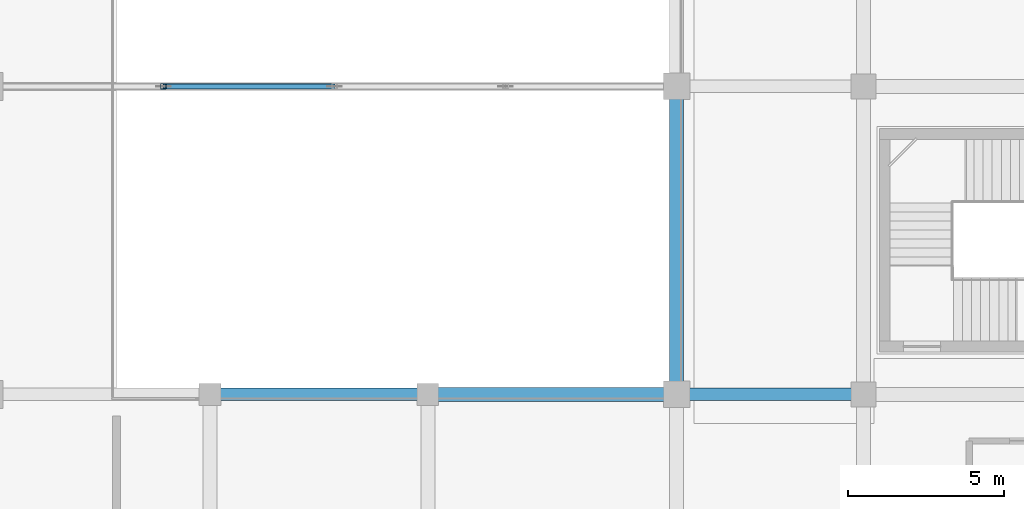
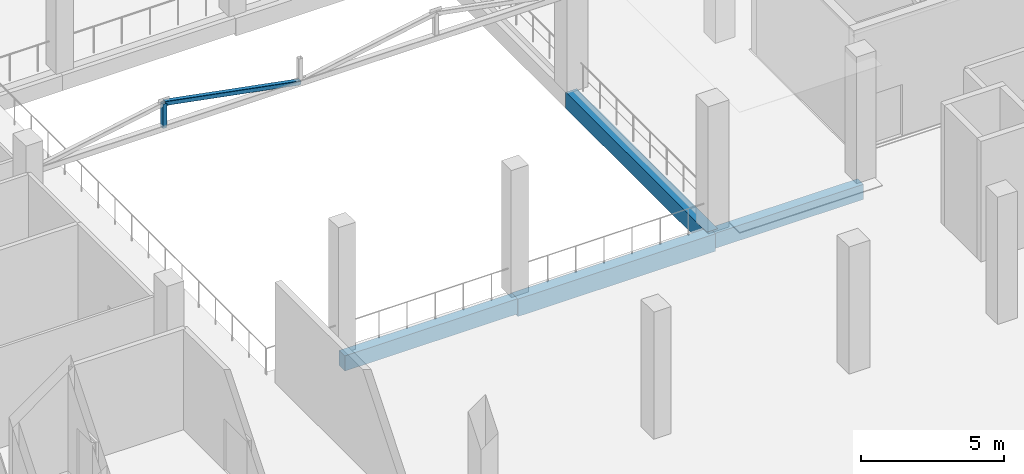
# One storey, part 7 of 74: 4 beams, 2 members.
"""IFC4 building model written with IfcOpenShell, lengths in metres."""

from ifc_helpers import new_model, si_unit, direction, frame, origin, origin_2d, place, context, subcontext, project, spatial, rectangle, hollow_rectangle, extrude, material, material_profile, profile_set, type_object, element, save


model = new_model("IFC4")

# Units and contexts
model_context = context("Model", 3, precision=1e-05, world=origin(), true_north=direction((0.0, 1.0)))
body_context = subcontext(model_context, "Body", "Model", "MODEL_VIEW")
ifc_project = project(units=[si_unit("LENGTHUNIT", "METRE"), si_unit("AREAUNIT", "SQUARE_METRE"), si_unit("VOLUMEUNIT", "CUBIC_METRE"), si_unit("PLANEANGLEUNIT", "RADIAN"), si_unit("MASSUNIT", "GRAM", prefix="KILO")], contexts=[model_context])

# Site, building, storey
site_placement = place(None, origin())
site = spatial("IfcSite", under=ifc_project, at=site_placement, CompositionType="ELEMENT")
building_placement = place(site_placement, origin())
building = spatial("IfcBuilding", under=site, at=building_placement, Name="Sillaruma Civic Art Gallery", CompositionType="ELEMENT")
storey_placement = place(building_placement, frame((0.0, 0.0, 5.43994140625)))
storey = spatial("IfcBuildingStorey", under=building, at=storey_placement, Name="L01", CompositionType="ELEMENT", Elevation=5.43994140625)

# Beams
ifc_material_1 = material(Name="Concrete H35 (35 MPa)", Category="concrete")
ifc_material_profile_1 = material_profile(ifc_material_1, rectangle(XDim=0.39990234375, YDim=0.64990234375, at=origin_2d()), Name="RCB400x650")
ifc_profile_set_1 = profile_set([ifc_material_profile_1], Name="Concrete H35 (35 MPa)")
beam_type_1 = type_object("IfcBeamType", Name="BM-BEAM-RCB400x650", PredefinedType="BEAM", material=ifc_profile_set_1)
beam_1_placement = place(storey_placement, frame((77.0, 49.5, -0.5849609375), z_axis=(1.0, 0.0, 0.0), x_axis=(0.0, 1.0, 0.0)))
element("IfcBeam", 1, at=beam_1_placement, inside=storey, type_object=beam_type_1, Name="Beam BM-05 (L00:6:H-J)", PredefinedType="BEAM", context=body_context, shape_type="SweptSolid", body=[
    extrude(rectangle(XDim=0.39990234375, YDim=0.64990234375, at=origin_2d()), origin(), (0.0, 0.0, 1.0), 7.0),
])
beam_2_placement = place(storey_placement, frame((92.0, 49.5, -0.5849609375), z_axis=(1.0, 0.0, 0.0), x_axis=(0.0, 1.0, 0.0)))
element("IfcBeam", 2, at=beam_2_placement, inside=storey, type_object=beam_type_1, Name="Beam BM-05 (L00:6:K-L)", PredefinedType="BEAM", context=body_context, shape_type="SweptSolid", body=[
    extrude(rectangle(XDim=0.39990234375, YDim=0.64990234375, at=origin_2d()), origin(), (0.0, 0.0, 1.0), 6.0),
])
ifc_material_2 = material(Name="Concrete H40 (40 MPa)", Category="concrete")
ifc_material_profile_2 = material_profile(ifc_material_2, rectangle(XDim=0.449951171875, YDim=0.75, at=origin_2d()), Name="RCB450x750")
ifc_profile_set_2 = profile_set([ifc_material_profile_2], Name="Concrete H40 (40 MPa)")
beam_type_2 = type_object("IfcBeamType", Name="BM-BEAM-RCB450x750", PredefinedType="BEAM", material=ifc_profile_set_2)
beam_3_placement = place(storey_placement, frame((84.0, 49.5, -0.635009765625), z_axis=(1.0, 0.0, 0.0), x_axis=(0.0, 1.0, 0.0)))
element("IfcBeam", 3, at=beam_3_placement, inside=storey, type_object=beam_type_2, Name="Beam BM-03 (L00:6:J-K)", PredefinedType="BEAM", context=body_context, shape_type="SweptSolid", body=[
    extrude(rectangle(XDim=0.449951171875, YDim=0.75, at=origin_2d()), origin(), (0.0, 0.0, 1.0), 8.0),
])
ifc_material_profile_3 = material_profile(ifc_material_1, rectangle(XDim=0.449951171875, YDim=0.699951171875, at=origin_2d()), Name="RCB450x700")
ifc_profile_set_3 = profile_set([ifc_material_profile_3], Name="Concrete H35 (35 MPa)")
beam_type_3 = type_object("IfcBeamType", Name="BM-SPANDREL-RCB450x700", PredefinedType="SPANDREL", material=ifc_profile_set_3)
beam_4_placement = place(storey_placement, frame((92.0, 49.5, -0.60986328125), z_axis=(0.0, 1.0, 0.0), x_axis=(-1.0, 0.0, 0.0)))
element("IfcBeam", 4, at=beam_4_placement, inside=storey, type_object=beam_type_3, Name="Beam BS-03 (L00:K:6-7)", PredefinedType="SPANDREL", context=body_context, shape_type="SweptSolid", body=[
    extrude(rectangle(XDim=0.449951171875, YDim=0.699951171875, at=origin_2d()), origin(), (0.0, 0.0, 1.0), 9.89990234375),
])

# Members
ifc_material_3 = material(Name="Structural Steel ASTM A500 Gr.C", Category="steel")
ifc_material_profile_4 = material_profile(ifc_material_3, hollow_rectangle(XDim=0.179931640625, YDim=0.179931640625, WallThickness=0.010009765625, InnerFilletRadius=0.010009765625, OuterFilletRadius=0.02001953125, at=origin_2d()), Name="HSS180x180x10")
ifc_profile_set_4 = profile_set([ifc_material_profile_4], Name="Structural Steel ASTM A500 Gr.C")
member_type_1 = type_object("IfcMemberType", Name="MEM-BRACE-HSS180x180x10", PredefinedType="BRACE", material=ifc_profile_set_4)
member_1_placement = place(storey_placement, frame((75.5, 59.39990234375, 4.994140625), z_axis=(0.982618444272, 0.0, -0.185636723137), x_axis=(0.0, 1.0, 0.0)))
element("IfcMember", 5, at=member_1_placement, inside=storey, type_object=member_type_1, Name="Warren Truss Diagonal TR-L01-1-D2", PredefinedType="BRACE", context=body_context, shape_type="SweptSolid", body=[
    extrude(hollow_rectangle(XDim=0.179931640625, YDim=0.179931640625, WallThickness=0.010009765625, InnerFilletRadius=0.010009765625, OuterFilletRadius=0.02001953125, at=origin_2d()), origin(), (0.0, 0.0, 1.0), 5.59716796875),
])
ifc_material_profile_5 = material_profile(ifc_material_3, hollow_rectangle(XDim=0.179931640625, YDim=0.179931640625, WallThickness=0.010009765625, InnerFilletRadius=0.010009765625, OuterFilletRadius=0.02001953125, at=origin_2d()), Name="HSS180x180x10")
ifc_profile_set_5 = profile_set([ifc_material_profile_5], Name="Structural Steel ASTM A500 Gr.C")
member_type_2 = type_object("IfcMemberType", Name="MEM-POST-HSS180x180x10", PredefinedType="POST", material=ifc_profile_set_5)
member_2_placement = place(storey_placement, frame((75.5, 59.39990234375, 3.955078125), z_axis=(0.0, 0.0, 1.0), x_axis=(1.0, 0.0, 0.0)))
element("IfcMember", 6, at=member_2_placement, inside=storey, type_object=member_type_2, Name="Warren Truss Vertical Post TR-L01-1-V1", PredefinedType="POST", context=body_context, shape_type="SweptSolid", body=[
    extrude(hollow_rectangle(XDim=0.179931640625, YDim=0.179931640625, WallThickness=0.010009765625, InnerFilletRadius=0.010009765625, OuterFilletRadius=0.02001953125, at=origin_2d()), origin(), (0.0, 0.0, 1.0), 1.0390625),
])

save(model, "model.ifc")
